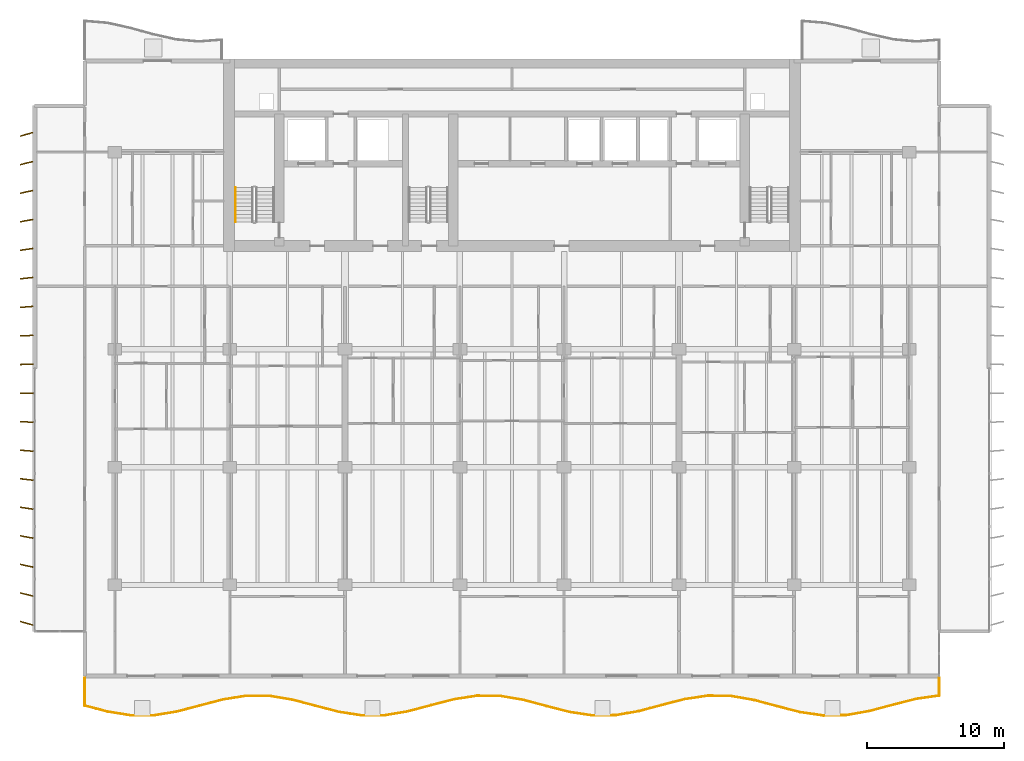
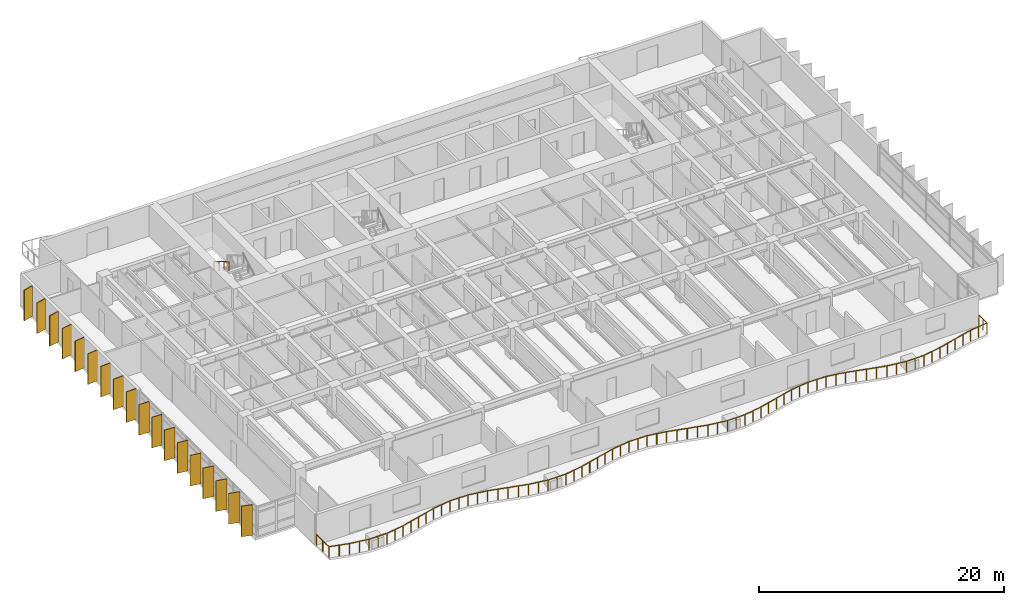
# One storey, part 12 of 15: 18 shading devices, 2 railings.
"""IFC4 building model written with IfcOpenShell, lengths in metres."""

from ifc_helpers import new_model, si_unit, direction, frame, origin, origin_2d, place, context, subcontext, project, spatial, rectangle, circle, extrude, material, material_profile, profile_set, type_object, element, save


model = new_model("IFC4")

# Units and contexts
model_context = context("Model", 3, precision=1e-05, world=origin(), true_north=direction((0.0, 1.0)))
body_context = subcontext(model_context, "Body", "Model", "MODEL_VIEW")
ifc_project = project(units=[si_unit("LENGTHUNIT", "METRE"), si_unit("AREAUNIT", "SQUARE_METRE"), si_unit("VOLUMEUNIT", "CUBIC_METRE"), si_unit("PLANEANGLEUNIT", "RADIAN"), si_unit("MASSUNIT", "GRAM", prefix="KILO")], contexts=[model_context])

# Site, building, storey
site_placement = place(None, origin())
site = spatial("IfcSite", under=ifc_project, at=site_placement, CompositionType="ELEMENT")
building_placement = place(site_placement, origin())
building = spatial("IfcBuilding", under=site, at=building_placement, Name="Caelmar Bay Residences", CompositionType="ELEMENT")
storey_placement = place(building_placement, frame((0.0, 0.0, 135.60009765625)))
storey = spatial("IfcBuildingStorey", under=building, at=storey_placement, Name="L37", CompositionType="ELEMENT", Elevation=135.60009765625)

# Railings
ifc_material_1 = material(Name="Anodised bronze handrail with laminated hurricane glass infill", Category="glass")
railing_type_1 = type_object("IfcRailingType", Name="RL-BAL-1100", PredefinedType="BALUSTRADE", material=ifc_material_1)
railing_1_placement = place(storey_placement, frame((7.699951171875, 5.39990234375, 0.0)))
element("IfcRailing", 1, at=railing_1_placement, inside=storey, type_object=railing_type_1, Name="L37 south Balcony Balustrade", PredefinedType="BALUSTRADE", context=body_context, shape_type="SweptSolid", body=[
    extrude(circle(Radius=0.02392578125, at=origin_2d()), frame((0.0, 0.0, 1.076171875), z_axis=(0.0, -1.0, 0.0), x_axis=(1.0, 0.0, 0.0)), (0.0, 0.0, 1.0), 2.02001953125),
    extrude(circle(Radius=0.02392578125, at=origin_2d()), frame((0.0, -2.02001953125, 1.076171875), z_axis=(0.96731172761, -0.253590263275, 0.0), x_axis=(0.253590263275, 0.96731172761, 0.0)), (0.0, 0.0, 1.0), 1.743408203125),
    extrude(circle(Radius=0.02392578125, at=origin_2d()), frame((1.6865234375, -2.462158203125, 1.076171875), z_axis=(0.987222996916, -0.159344765715, 0.0), x_axis=(0.159344765715, 0.987222996916, 0.0)), (0.0, 0.0, 1.0), 1.708251953125),
    extrude(circle(Radius=0.02392578125, at=origin_2d()), frame((3.373046875, -2.734375, 1.076171875), z_axis=(0.999998491217, 0.001737113766, 0.0), x_axis=(-0.001737113766, 0.999998491217, 0.0)), (0.0, 0.0, 1.0), 1.6865234375),
    extrude(circle(Radius=0.02392578125, at=origin_2d()), frame((5.0595703125, -2.7314453125, 1.076171875), z_axis=(0.986811582077, 0.16187310301, 0.0), x_axis=(-0.16187310301, 0.986811582077, 0.0)), (0.0, 0.0, 1.0), 1.708740234375),
    extrude(circle(Radius=0.02392578125, at=origin_2d()), frame((6.745849609375, -2.454833984375, 1.076171875), z_axis=(0.967036446825, 0.254637998954, 0.0), x_axis=(-0.254637998954, 0.967036446825, 0.0)), (0.0, 0.0, 1.0), 1.743896484375),
    extrude(circle(Radius=0.02392578125, at=origin_2d()), frame((8.432373046875, -2.0107421875, 1.076171875), z_axis=(0.967551794739, 0.252672761684, 0.0), x_axis=(-0.252672761684, 0.967551794739, 0.0)), (0.0, 0.0, 1.0), 1.7431640625),
    extrude(circle(Radius=0.02392578125, at=origin_2d()), frame((10.118896484375, -1.5703125, 1.076171875), z_axis=(0.987646769685, 0.156696708103, 0.0), x_axis=(-0.156696708103, 0.987646769685, 0.0)), (0.0, 0.0, 1.0), 1.70751953125),
    extrude(circle(Radius=0.02392578125, at=origin_2d()), frame((11.805419921875, -1.302734375, 1.076171875), z_axis=(0.999987165083, -0.005066524432, 0.0), x_axis=(0.005066524432, 0.999987165083, 0.0)), (0.0, 0.0, 1.0), 1.6865234375),
    extrude(circle(Radius=0.02392578125, at=origin_2d()), frame((13.491943359375, -1.311279296875, 1.076171875), z_axis=(0.986401641189, -0.164352676463, 0.0), x_axis=(0.164352676463, 0.986401641189, 0.0)), (0.0, 0.0, 1.0), 1.709716796875),
    extrude(circle(Radius=0.02392578125, at=origin_2d()), frame((15.178466796875, -1.59228515625, 1.076171875), z_axis=(0.966794774667, -0.255554032794, 0.0), x_axis=(0.255554032794, 0.966794774667, 0.0)), (0.0, 0.0, 1.0), 1.744384765625),
    extrude(circle(Radius=0.02392578125, at=origin_2d()), frame((16.864990234375, -2.0380859375, 1.076171875), z_axis=(0.967791109938, -0.251754577962, 0.0), x_axis=(0.251754577962, 0.967791109938, 0.0)), (0.0, 0.0, 1.0), 1.74267578125),
    extrude(circle(Radius=0.02392578125, at=origin_2d()), frame((18.551513671875, -2.476806640625, 1.076171875), z_axis=(0.988082163557, -0.153927379179, 0.0), x_axis=(0.153927379179, 0.988082163557, 0.0)), (0.0, 0.0, 1.0), 1.70654296875),
    extrude(circle(Radius=0.02392578125, at=origin_2d()), frame((20.23779296875, -2.739501953125, 1.076171875), z_axis=(0.999965959739, 0.008251021961, 0.0), x_axis=(-0.008251021961, 0.999965959739, 0.0)), (0.0, 0.0, 1.0), 1.6865234375),
    extrude(circle(Radius=0.02392578125, at=origin_2d()), frame((21.92431640625, -2.7255859375, 1.076171875), z_axis=(0.985958479003, 0.166990651481, 0.0), x_axis=(-0.166990651481, 0.985958479003, 0.0)), (0.0, 0.0, 1.0), 1.71044921875),
    extrude(circle(Radius=0.02392578125, at=origin_2d()), frame((23.61083984375, -2.43994140625, 1.076171875), z_axis=(0.966587033204, 0.256338657329, 0.0), x_axis=(-0.256338657329, 0.966587033204, 0.0)), (0.0, 0.0, 1.0), 1.744873046875),
    extrude(circle(Radius=0.02392578125, at=origin_2d()), frame((25.29736328125, -1.99267578125, 1.076171875), z_axis=(0.968063689917, 0.250704392192, 0.0), x_axis=(-0.250704392192, 0.968063689917, 0.0)), (0.0, 0.0, 1.0), 1.7421875),
    extrude(circle(Radius=0.02392578125, at=origin_2d()), frame((26.98388671875, -1.555908203125, 1.076171875), z_axis=(0.988474035302, 0.151390493536, 0.0), x_axis=(-0.151390493536, 0.988474035302, 0.0)), (0.0, 0.0, 1.0), 1.706298828125),
    extrude(circle(Radius=0.02392578125, at=origin_2d()), frame((28.67041015625, -1.297607421875, 1.076171875), z_axis=(0.999931262995, -0.011724729633, 0.0), x_axis=(0.011724729633, 0.999931262995, 0.0)), (0.0, 0.0, 1.0), 1.6865234375),
    extrude(circle(Radius=0.02392578125, at=origin_2d()), frame((30.35693359375, -1.3173828125, 1.076171875), z_axis=(0.985528412921, -0.169510316281, 0.0), x_axis=(0.169510316281, 0.985528412921, 0.0)), (0.0, 0.0, 1.0), 1.7109375),
    extrude(circle(Radius=0.02392578125, at=origin_2d()), frame((32.043212890625, -1.607421875, 1.076171875), z_axis=(0.966343976933, -0.257253412504, 0.0), x_axis=(0.257253412504, 0.966343976933, 0.0)), (0.0, 0.0, 1.0), 1.745361328125),
    extrude(circle(Radius=0.02392578125, at=origin_2d()), frame((33.729736328125, -2.056396484375, 1.076171875), z_axis=(0.968335282607, -0.249653320545, 0.0), x_axis=(0.249653320545, 0.968335282607, 0.0)), (0.0, 0.0, 1.0), 1.74169921875),
    extrude(circle(Radius=0.02392578125, at=origin_2d()), frame((35.416259765625, -2.4912109375, 1.076171875), z_axis=(0.988919545857, -0.148452456435, 0.0), x_axis=(0.148452456435, 0.988919545857, 0.0)), (0.0, 0.0, 1.0), 1.705322265625),
    extrude(circle(Radius=0.02392578125, at=origin_2d()), frame((37.102783203125, -2.744384765625, 1.076171875), z_axis=(0.999888860768, 0.014908591873, 0.0), x_axis=(-0.014908591873, 0.999888860768, 0.0)), (0.0, 0.0, 1.0), 1.686767578125),
    extrude(circle(Radius=0.02392578125, at=origin_2d()), frame((38.789306640625, -2.71923828125, 1.076171875), z_axis=(0.985100605881, 0.171979057715, 0.0), x_axis=(-0.171979057715, 0.985100605881, 0.0)), (0.0, 0.0, 1.0), 1.7119140625),
    extrude(circle(Radius=0.02392578125, at=origin_2d()), frame((40.475830078125, -2.4248046875, 1.076171875), z_axis=(0.966135051847, 0.258036938428, 0.0), x_axis=(-0.258036938428, 0.966135051847, 0.0)), (0.0, 0.0, 1.0), 1.74560546875),
    extrude(circle(Radius=0.02392578125, at=origin_2d()), frame((42.162353515625, -1.974365234375, 1.076171875), z_axis=(0.968630982277, 0.24850356169, 0.0), x_axis=(-0.24850356169, 0.968630982277, 0.0)), (0.0, 0.0, 1.0), 1.740966796875),
    extrude(circle(Radius=0.02392578125, at=origin_2d()), frame((43.8486328125, -1.541748046875, 1.076171875), z_axis=(0.989294770165, 0.1459310033, 0.0), x_axis=(-0.1459310033, 0.989294770165, 0.0)), (0.0, 0.0, 1.0), 1.704833984375),
    extrude(circle(Radius=0.02392578125, at=origin_2d()), frame((45.53515625, -1.29296875, 1.076171875), z_axis=(0.999831048242, -0.01838137567, 0.0), x_axis=(0.01838137567, 0.999831048242, 0.0)), (0.0, 0.0, 1.0), 1.686767578125),
    extrude(circle(Radius=0.02392578125, at=origin_2d()), frame((47.2216796875, -1.323974609375, 1.076171875), z_axis=(0.984662785192, -0.174468333682, 0.0), x_axis=(0.174468333682, 0.984662785192, 0.0)), (0.0, 0.0, 1.0), 1.712890625),
    extrude(circle(Radius=0.02392578125, at=origin_2d()), frame((48.908203125, -1.622802734375, 1.076171875), z_axis=(0.965960531679, -0.258689488073, 0.0), x_axis=(0.258689488073, 0.965960531679, 0.0)), (0.0, 0.0, 1.0), 1.745849609375),
    extrude(circle(Radius=0.02392578125, at=origin_2d()), frame((50.5947265625, -2.074462890625, 1.076171875), z_axis=(0.968909126405, -0.247416864357, 0.0), x_axis=(0.247416864357, 0.968909126405, 0.0)), (0.0, 0.0, 1.0), 1.74072265625),
    extrude(circle(Radius=0.02392578125, at=origin_2d()), frame((52.28125, -2.505126953125, 1.076171875), z_axis=(0.989701532203, -0.143146348729, 0.0), x_axis=(0.143146348729, 0.989701532203, 0.0)), (0.0, 0.0, 1.0), 1.703857421875),
    extrude(circle(Radius=0.02392578125, at=origin_2d()), frame((53.967529296875, -2.7490234375, 1.076171875), z_axis=(0.999764335416, 0.021708837625, 0.0), x_axis=(-0.021708837625, 0.999764335416, 0.0)), (0.0, 0.0, 1.0), 1.68701171875),
    extrude(circle(Radius=0.02392578125, at=origin_2d()), frame((55.654052734375, -2.71240234375, 1.076171875), z_axis=(0.98424387922, 0.176816249871, 0.0), x_axis=(-0.176816249871, 0.98424387922, 0.0)), (0.0, 0.0, 1.0), 1.713623046875),
    extrude(circle(Radius=0.02392578125, at=origin_2d()), frame((57.340576171875, -2.409423828125, 1.076171875), z_axis=(0.965750609382, 0.259472080344, 0.0), x_axis=(-0.259472080344, 0.965750609382, 0.0)), (0.0, 0.0, 1.0), 1.746337890625),
    extrude(circle(Radius=0.02392578125, at=origin_2d()), frame((59.027099609375, -1.956298828125, 1.076171875), z_axis=(0.969211107157, 0.246231252614, 0.0), x_axis=(-0.246231252614, 0.969211107157, 0.0)), (0.0, 0.0, 1.0), 1.739990234375),
    extrude(circle(Radius=0.02392578125, at=origin_2d()), frame((60.713623046875, -1.52783203125, 1.076171875), z_axis=(0.990106538764, 0.140317646417, 0.0), x_axis=(-0.140317646417, 0.990106538764, 0.0)), (0.0, 0.0, 1.0), 1.703369140625),
    extrude(circle(Radius=0.02392578125, at=origin_2d()), frame((62.400146484375, -1.288818359375, 1.076171875), z_axis=(0.0, 1.0, 0.0), x_axis=(-1.0, 0.0, 0.0)), (0.0, 0.0, 1.0), 1.288818359375),
    extrude(circle(Radius=0.02099609375, at=origin_2d()), origin(), (0.0, 0.0, 1.0), 1.052001953125),
    extrude(circle(Radius=0.02099609375, at=origin_2d()), frame((0.0, -1.010009765625, 0.0)), (0.0, 0.0, 1.0), 1.052001953125),
    extrude(circle(Radius=0.02099609375, at=origin_2d()), frame((0.0, -2.02001953125, 0.0)), (0.0, 0.0, 1.0), 1.052001953125),
    extrude(circle(Radius=0.02099609375, at=origin_2d()), frame((0.84326171875, -2.2412109375, 0.0)), (0.0, 0.0, 1.0), 1.052001953125),
    extrude(circle(Radius=0.02099609375, at=origin_2d()), frame((1.6865234375, -2.462158203125, 0.0)), (0.0, 0.0, 1.0), 1.052001953125),
    extrude(circle(Radius=0.02099609375, at=origin_2d()), frame((2.52978515625, -2.59814453125, 0.0)), (0.0, 0.0, 1.0), 1.052001953125),
    extrude(circle(Radius=0.02099609375, at=origin_2d()), frame((3.373046875, -2.734375, 0.0)), (0.0, 0.0, 1.0), 1.052001953125),
    extrude(circle(Radius=0.02099609375, at=origin_2d()), frame((4.21630859375, -2.73291015625, 0.0)), (0.0, 0.0, 1.0), 1.052001953125),
    extrude(circle(Radius=0.02099609375, at=origin_2d()), frame((5.0595703125, -2.7314453125, 0.0)), (0.0, 0.0, 1.0), 1.052001953125),
    extrude(circle(Radius=0.02099609375, at=origin_2d()), frame((5.90283203125, -2.59326171875, 0.0)), (0.0, 0.0, 1.0), 1.052001953125),
    extrude(circle(Radius=0.02099609375, at=origin_2d()), frame((6.745849609375, -2.454833984375, 0.0)), (0.0, 0.0, 1.0), 1.052001953125),
    extrude(circle(Radius=0.02099609375, at=origin_2d()), frame((7.589111328125, -2.23291015625, 0.0)), (0.0, 0.0, 1.0), 1.052001953125),
    extrude(circle(Radius=0.02099609375, at=origin_2d()), frame((8.432373046875, -2.0107421875, 0.0)), (0.0, 0.0, 1.0), 1.052001953125),
    extrude(circle(Radius=0.02099609375, at=origin_2d()), frame((9.275634765625, -1.79052734375, 0.0)), (0.0, 0.0, 1.0), 1.052001953125),
    extrude(circle(Radius=0.02099609375, at=origin_2d()), frame((10.118896484375, -1.5703125, 0.0)), (0.0, 0.0, 1.0), 1.052001953125),
    extrude(circle(Radius=0.02099609375, at=origin_2d()), frame((10.962158203125, -1.4365234375, 0.0)), (0.0, 0.0, 1.0), 1.052001953125),
    extrude(circle(Radius=0.02099609375, at=origin_2d()), frame((11.805419921875, -1.302734375, 0.0)), (0.0, 0.0, 1.0), 1.052001953125),
    extrude(circle(Radius=0.02099609375, at=origin_2d()), frame((12.648681640625, -1.30712890625, 0.0)), (0.0, 0.0, 1.0), 1.052001953125),
    extrude(circle(Radius=0.02099609375, at=origin_2d()), frame((13.491943359375, -1.311279296875, 0.0)), (0.0, 0.0, 1.0), 1.052001953125),
    extrude(circle(Radius=0.02099609375, at=origin_2d()), frame((14.335205078125, -1.45166015625, 0.0)), (0.0, 0.0, 1.0), 1.052001953125),
    extrude(circle(Radius=0.02099609375, at=origin_2d()), frame((15.178466796875, -1.59228515625, 0.0)), (0.0, 0.0, 1.0), 1.052001953125),
    extrude(circle(Radius=0.02099609375, at=origin_2d()), frame((16.021728515625, -1.815185546875, 0.0)), (0.0, 0.0, 1.0), 1.052001953125),
    extrude(circle(Radius=0.02099609375, at=origin_2d()), frame((16.864990234375, -2.0380859375, 0.0)), (0.0, 0.0, 1.0), 1.052001953125),
    extrude(circle(Radius=0.02099609375, at=origin_2d()), frame((17.708251953125, -2.25732421875, 0.0)), (0.0, 0.0, 1.0), 1.052001953125),
    extrude(circle(Radius=0.02099609375, at=origin_2d()), frame((18.551513671875, -2.476806640625, 0.0)), (0.0, 0.0, 1.0), 1.052001953125),
    extrude(circle(Radius=0.02099609375, at=origin_2d()), frame((19.39453125, -2.608154296875, 0.0)), (0.0, 0.0, 1.0), 1.052001953125),
    extrude(circle(Radius=0.02099609375, at=origin_2d()), frame((20.23779296875, -2.739501953125, 0.0)), (0.0, 0.0, 1.0), 1.052001953125),
    extrude(circle(Radius=0.02099609375, at=origin_2d()), frame((21.0810546875, -2.732421875, 0.0)), (0.0, 0.0, 1.0), 1.052001953125),
    extrude(circle(Radius=0.02099609375, at=origin_2d()), frame((21.92431640625, -2.7255859375, 0.0)), (0.0, 0.0, 1.0), 1.052001953125),
    extrude(circle(Radius=0.02099609375, at=origin_2d()), frame((22.767578125, -2.582763671875, 0.0)), (0.0, 0.0, 1.0), 1.052001953125),
    extrude(circle(Radius=0.02099609375, at=origin_2d()), frame((23.61083984375, -2.43994140625, 0.0)), (0.0, 0.0, 1.0), 1.052001953125),
    extrude(circle(Radius=0.02099609375, at=origin_2d()), frame((24.4541015625, -2.21630859375, 0.0)), (0.0, 0.0, 1.0), 1.052001953125),
    extrude(circle(Radius=0.02099609375, at=origin_2d()), frame((25.29736328125, -1.99267578125, 0.0)), (0.0, 0.0, 1.0), 1.052001953125),
    extrude(circle(Radius=0.02099609375, at=origin_2d()), frame((26.140625, -1.7744140625, 0.0)), (0.0, 0.0, 1.0), 1.052001953125),
    extrude(circle(Radius=0.02099609375, at=origin_2d()), frame((26.98388671875, -1.555908203125, 0.0)), (0.0, 0.0, 1.0), 1.052001953125),
    extrude(circle(Radius=0.02099609375, at=origin_2d()), frame((27.8271484375, -1.4267578125, 0.0)), (0.0, 0.0, 1.0), 1.052001953125),
    extrude(circle(Radius=0.02099609375, at=origin_2d()), frame((28.67041015625, -1.297607421875, 0.0)), (0.0, 0.0, 1.0), 1.052001953125),
    extrude(circle(Radius=0.02099609375, at=origin_2d()), frame((29.513671875, -1.3076171875, 0.0)), (0.0, 0.0, 1.0), 1.052001953125),
    extrude(circle(Radius=0.02099609375, at=origin_2d()), frame((30.35693359375, -1.3173828125, 0.0)), (0.0, 0.0, 1.0), 1.052001953125),
    extrude(circle(Radius=0.02099609375, at=origin_2d()), frame((31.2001953125, -1.46240234375, 0.0)), (0.0, 0.0, 1.0), 1.052001953125),
    extrude(circle(Radius=0.02099609375, at=origin_2d()), frame((32.043212890625, -1.607421875, 0.0)), (0.0, 0.0, 1.0), 1.052001953125),
    extrude(circle(Radius=0.02099609375, at=origin_2d()), frame((32.886474609375, -1.83203125, 0.0)), (0.0, 0.0, 1.0), 1.052001953125),
    extrude(circle(Radius=0.02099609375, at=origin_2d()), frame((33.729736328125, -2.056396484375, 0.0)), (0.0, 0.0, 1.0), 1.052001953125),
    extrude(circle(Radius=0.02099609375, at=origin_2d()), frame((34.572998046875, -2.27392578125, 0.0)), (0.0, 0.0, 1.0), 1.052001953125),
    extrude(circle(Radius=0.02099609375, at=origin_2d()), frame((35.416259765625, -2.4912109375, 0.0)), (0.0, 0.0, 1.0), 1.052001953125),
    extrude(circle(Radius=0.02099609375, at=origin_2d()), frame((36.259521484375, -2.61767578125, 0.0)), (0.0, 0.0, 1.0), 1.052001953125),
    extrude(circle(Radius=0.02099609375, at=origin_2d()), frame((37.102783203125, -2.744384765625, 0.0)), (0.0, 0.0, 1.0), 1.052001953125),
    extrude(circle(Radius=0.02099609375, at=origin_2d()), frame((37.946044921875, -2.73193359375, 0.0)), (0.0, 0.0, 1.0), 1.052001953125),
    extrude(circle(Radius=0.02099609375, at=origin_2d()), frame((38.789306640625, -2.71923828125, 0.0)), (0.0, 0.0, 1.0), 1.052001953125),
    extrude(circle(Radius=0.02099609375, at=origin_2d()), frame((39.632568359375, -2.572021484375, 0.0)), (0.0, 0.0, 1.0), 1.052001953125),
    extrude(circle(Radius=0.02099609375, at=origin_2d()), frame((40.475830078125, -2.4248046875, 0.0)), (0.0, 0.0, 1.0), 1.052001953125),
    extrude(circle(Radius=0.02099609375, at=origin_2d()), frame((41.319091796875, -2.19970703125, 0.0)), (0.0, 0.0, 1.0), 1.052001953125),
    extrude(circle(Radius=0.02099609375, at=origin_2d()), frame((42.162353515625, -1.974365234375, 0.0)), (0.0, 0.0, 1.0), 1.052001953125),
    extrude(circle(Radius=0.02099609375, at=origin_2d()), frame((43.00537109375, -1.758056640625, 0.0)), (0.0, 0.0, 1.0), 1.052001953125),
    extrude(circle(Radius=0.02099609375, at=origin_2d()), frame((43.8486328125, -1.541748046875, 0.0)), (0.0, 0.0, 1.0), 1.052001953125),
    extrude(circle(Radius=0.02099609375, at=origin_2d()), frame((44.69189453125, -1.41748046875, 0.0)), (0.0, 0.0, 1.0), 1.052001953125),
    extrude(circle(Radius=0.02099609375, at=origin_2d()), frame((45.53515625, -1.29296875, 0.0)), (0.0, 0.0, 1.0), 1.052001953125),
    extrude(circle(Radius=0.02099609375, at=origin_2d()), frame((46.37841796875, -1.30859375, 0.0)), (0.0, 0.0, 1.0), 1.052001953125),
    extrude(circle(Radius=0.02099609375, at=origin_2d()), frame((47.2216796875, -1.323974609375, 0.0)), (0.0, 0.0, 1.0), 1.052001953125),
    extrude(circle(Radius=0.02099609375, at=origin_2d()), frame((48.06494140625, -1.473388671875, 0.0)), (0.0, 0.0, 1.0), 1.052001953125),
    extrude(circle(Radius=0.02099609375, at=origin_2d()), frame((48.908203125, -1.622802734375, 0.0)), (0.0, 0.0, 1.0), 1.052001953125),
    extrude(circle(Radius=0.02099609375, at=origin_2d()), frame((49.75146484375, -1.8486328125, 0.0)), (0.0, 0.0, 1.0), 1.052001953125),
    extrude(circle(Radius=0.02099609375, at=origin_2d()), frame((50.5947265625, -2.074462890625, 0.0)), (0.0, 0.0, 1.0), 1.052001953125),
    extrude(circle(Radius=0.02099609375, at=origin_2d()), frame((51.43798828125, -2.289794921875, 0.0)), (0.0, 0.0, 1.0), 1.052001953125),
    extrude(circle(Radius=0.02099609375, at=origin_2d()), frame((52.28125, -2.505126953125, 0.0)), (0.0, 0.0, 1.0), 1.052001953125),
    extrude(circle(Radius=0.02099609375, at=origin_2d()), frame((53.12451171875, -2.626953125, 0.0)), (0.0, 0.0, 1.0), 1.052001953125),
    extrude(circle(Radius=0.02099609375, at=origin_2d()), frame((53.967529296875, -2.7490234375, 0.0)), (0.0, 0.0, 1.0), 1.052001953125),
    extrude(circle(Radius=0.02099609375, at=origin_2d()), frame((54.810791015625, -2.730712890625, 0.0)), (0.0, 0.0, 1.0), 1.052001953125),
    extrude(circle(Radius=0.02099609375, at=origin_2d()), frame((55.654052734375, -2.71240234375, 0.0)), (0.0, 0.0, 1.0), 1.052001953125),
    extrude(circle(Radius=0.02099609375, at=origin_2d()), frame((56.497314453125, -2.56103515625, 0.0)), (0.0, 0.0, 1.0), 1.052001953125),
    extrude(circle(Radius=0.02099609375, at=origin_2d()), frame((57.340576171875, -2.409423828125, 0.0)), (0.0, 0.0, 1.0), 1.052001953125),
    extrude(circle(Radius=0.02099609375, at=origin_2d()), frame((58.183837890625, -2.182861328125, 0.0)), (0.0, 0.0, 1.0), 1.052001953125),
    extrude(circle(Radius=0.02099609375, at=origin_2d()), frame((59.027099609375, -1.956298828125, 0.0)), (0.0, 0.0, 1.0), 1.052001953125),
    extrude(circle(Radius=0.02099609375, at=origin_2d()), frame((59.870361328125, -1.7421875, 0.0)), (0.0, 0.0, 1.0), 1.052001953125),
    extrude(circle(Radius=0.02099609375, at=origin_2d()), frame((60.713623046875, -1.52783203125, 0.0)), (0.0, 0.0, 1.0), 1.052001953125),
    extrude(circle(Radius=0.02099609375, at=origin_2d()), frame((61.556884765625, -1.408203125, 0.0)), (0.0, 0.0, 1.0), 1.052001953125),
    extrude(circle(Radius=0.02099609375, at=origin_2d()), frame((62.400146484375, -1.288818359375, 0.0)), (0.0, 0.0, 1.0), 1.052001953125),
    extrude(circle(Radius=0.02099609375, at=origin_2d()), frame((62.400146484375, -0.64453125, 0.0)), (0.0, 0.0, 1.0), 1.052001953125),
    extrude(circle(Radius=0.02099609375, at=origin_2d()), frame((62.400146484375, 0.0, 0.0)), (0.0, 0.0, 1.0), 1.052001953125),
])
ifc_material_2 = material(Name="Brushed bronze stainless-steel tubular handrail 900 mm", Category="steel")
railing_type_2 = type_object("IfcRailingType", Name="RL-HND-900", PredefinedType="HANDRAIL", material=ifc_material_2)
railing_2_placement = place(storey_placement, frame((18.699951171875, 41.219970703125, 1.81494140625)))
element("IfcRailing", 2, at=railing_2_placement, inside=storey, type_object=railing_type_2, Name="L37 ST1 stair handrail 2", PredefinedType="HANDRAIL", context=body_context, shape_type="SweptSolid", body=[
    extrude(circle(Radius=0.02392578125, at=origin_2d()), frame((0.0, 0.0, 0.8759765625), z_axis=(0.0, -0.861560626758, 0.507654692109), x_axis=(1.0, 0.0, 0.0)), (0.0, 0.0, 1.0), 2.925048828125),
    extrude(circle(Radius=0.02099609375, at=origin_2d()), origin(), (0.0, 0.0, 1.0), 0.851806640625),
    extrude(circle(Radius=0.02099609375, at=origin_2d()), frame((0.0, -0.840087890625, 0.494873046875)), (0.0, 0.0, 1.0), 0.851806640625),
    extrude(circle(Radius=0.02099609375, at=origin_2d()), frame((0.0, -1.679931640625, 0.989990234375)), (0.0, 0.0, 1.0), 0.851806640625),
    extrude(circle(Radius=0.02099609375, at=origin_2d()), frame((0.0, -2.52001953125, 1.48486328125)), (0.0, 0.0, 1.0), 0.851806640625),
])

# Shading devices
ifc_material_3 = material(Name="Anodised architectural bronze aluminium 6063-T6", Category="aluminium")
ifc_material_profile = material_profile(ifc_material_3, rectangle(XDim=0.074951171875, YDim=0.949951171875, at=origin_2d()), Name="BRONZE-FIN-75X950")
ifc_profile_set = profile_set([ifc_material_profile], Name="Anodised architectural bronze aluminium 6063-T6")
shading_device_type = type_object("IfcShadingDeviceType", Name="SHD-FIN-950", PredefinedType="USERDEFINED", material=ifc_profile_set)
for number, where, z_axis, x_axis, name in (
    (3, (3.449951171875, 9.39990234375, 0.0), (0.0, 0.0, 1.0), (0.275637355817, 0.961261695938, 0.0), "L37 West Bronze Solar Fin 1"),
    (4, (3.449951171875, 11.5, 0.0), (0.0, 0.0, 1.0), (0.243953546137, 0.969786918517, 0.0), "L37 West Bronze Solar Fin 2"),
    (5, (3.449951171875, 13.60009765625, 0.0), (0.0, 0.0, 1.0), (0.212007109922, 0.977268123568, 0.0), "L37 West Bronze Solar Fin 3"),
    (6, (3.449951171875, 15.699951171875, 0.0), (0.0, 0.0, 1.0), (0.179660748593, 0.98372862895, 0.0), "L37 West Bronze Solar Fin 4"),
    (7, (3.449951171875, 17.800048828125, 0.0), (0.0, 0.0, 1.0), (0.147291543397, 0.989093120613, 0.0), "L37 West Bronze Solar Fin 5"),
    (8, (3.449951171875, 19.89990234375, 0.0), (0.0, 0.0, 1.0), (0.114763772489, 0.993392810787, 0.0), "L37 West Bronze Solar Fin 6"),
    (9, (3.449951171875, 22.0, 0.0), (0.0, 0.0, 1.0), (0.08211245342, 0.996623070671, 0.0), "L37 West Bronze Solar Fin 7"),
    (10, (3.449951171875, 24.10009765625, 0.0), (0.0, 0.0, 1.0), (0.049198415926, 0.998789024705, 0.0), "L37 West Bronze Solar Fin 8"),
    (11, (3.449951171875, 26.199951171875, 0.0), (0.0, 0.0, 1.0), (0.016405359001, 0.999865423043, 0.0), "L37 West Bronze Solar Fin 9"),
    (12, (3.449951171875, 28.300048828125, 0.0), (0.0, 0.0, 1.0), (-0.016405359001, 0.999865423043, 0.0), "L37 West Bronze Solar Fin 10"),
    (13, (3.449951171875, 30.39990234375, 0.0), (0.0, 0.0, 1.0), (-0.049198415926, 0.998789024705, 0.0), "L37 West Bronze Solar Fin 11"),
    (14, (3.449951171875, 32.5, 0.0), (0.0, 0.0, 1.0), (-0.08211245342, 0.996623070671, 0.0), "L37 West Bronze Solar Fin 12"),
    (15, (3.449951171875, 34.60009765625, 0.0), (0.0, 0.0, 1.0), (-0.114763772489, 0.993392810787, 0.0), "L37 West Bronze Solar Fin 13"),
    (16, (3.449951171875, 36.699951171875, 0.0), (0.0, 0.0, 1.0), (-0.147291543397, 0.989093120613, 0.0), "L37 West Bronze Solar Fin 14"),
    (17, (3.449951171875, 38.800048828125, 0.0), (0.0, 0.0, 1.0), (-0.179660748593, 0.98372862895, 0.0), "L37 West Bronze Solar Fin 15"),
    (18, (3.449951171875, 40.89990234375, 0.0), (0.0, 0.0, 1.0), (-0.212007109922, 0.977268123568, 0.0), "L37 West Bronze Solar Fin 16"),
    (19, (3.449951171875, 43.0, 0.0), (0.0, 0.0, 1.0), (-0.243953546137, 0.969786918517, 0.0), "L37 West Bronze Solar Fin 17"),
    (20, (3.449951171875, 45.10009765625, 0.0), (0.0, 0.0, 1.0), (-0.275637355817, 0.961261695938, 0.0), "L37 West Bronze Solar Fin 18"),
):
    element("IfcShadingDevice", number, at=place(storey_placement, frame(where, z_axis=z_axis, x_axis=x_axis)), inside=storey, type_object=shading_device_type, Name=name, ObjectType="FIN", PredefinedType="USERDEFINED", context=body_context, shape_type="SweptSolid", body=[
        extrude(rectangle(XDim=0.074951171875, YDim=0.949951171875, at=origin_2d()), origin(), (0.0, 0.0, 1.0), 3.0498046875),
    ])

save(model, "model.ifc")
